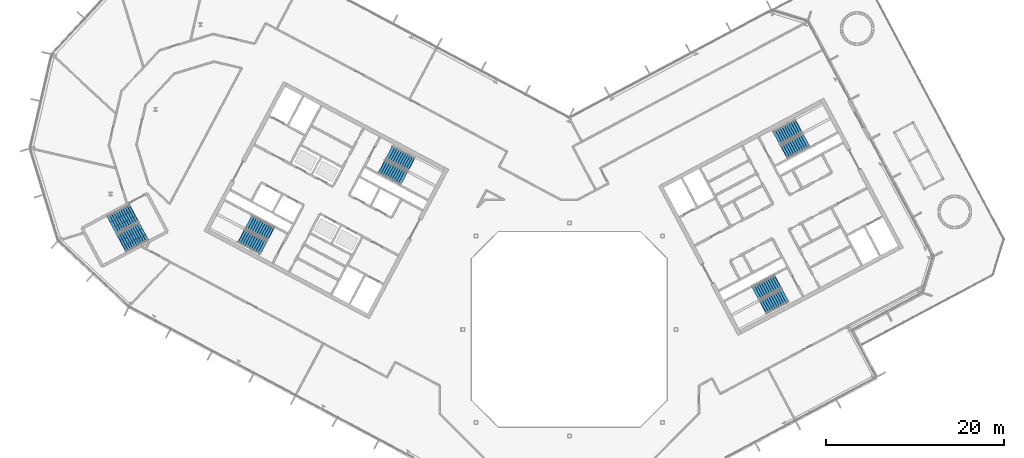
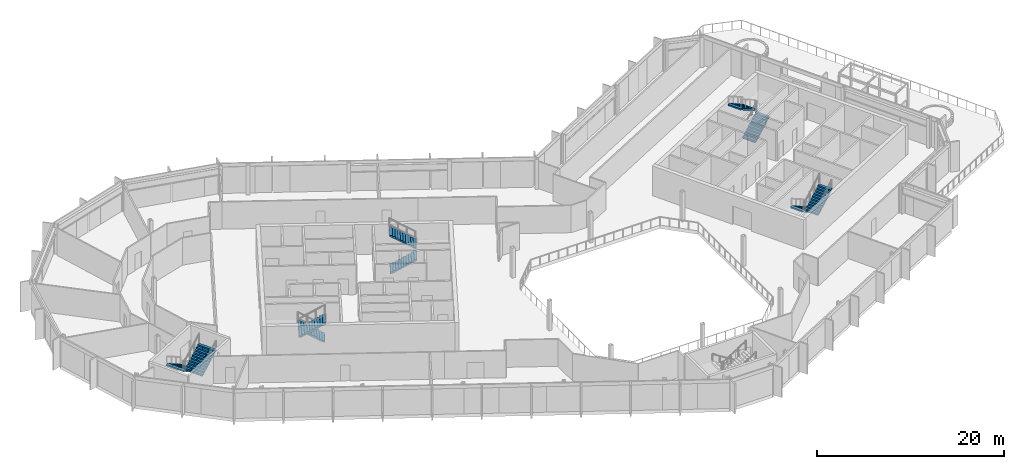
# One storey, part 20 of 30: 10 stair flights, 5 elements without a shape of their own.
"""IFC4 building model written with IfcOpenShell, lengths in metres."""

from ifc_helpers import new_model, si_unit, direction, frame, origin, place, context, subcontext, project, spatial, polyline, outline, extrude, material, type_object, element, aggregate, save


model = new_model("IFC4")

# Units and contexts
model_context = context("Model", 3, precision=1e-05, world=origin(), true_north=direction((0.0, 1.0)))
body_context = subcontext(model_context, "Body", "Model", "MODEL_VIEW")
ifc_project = project(units=[si_unit("LENGTHUNIT", "METRE"), si_unit("AREAUNIT", "SQUARE_METRE"), si_unit("VOLUMEUNIT", "CUBIC_METRE"), si_unit("PLANEANGLEUNIT", "RADIAN"), si_unit("MASSUNIT", "GRAM", prefix="KILO")], contexts=[model_context])

# Site, building, storey
site_placement = place(None, origin())
site = spatial("IfcSite", under=ifc_project, at=site_placement, CompositionType="ELEMENT")
building_placement = place(site_placement, origin())
building = spatial("IfcBuilding", under=site, at=building_placement, Name="Cormorant Relay Tower", CompositionType="ELEMENT")
storey_placement = place(building_placement, frame((0.0, 0.0, 258.0)))
storey = spatial("IfcBuildingStorey", under=building, at=storey_placement, Name="L57", CompositionType="ELEMENT", Elevation=258.0)

# Stair, stair flights
ifc_material_1 = material(Name="Concrete 40 MPa", Category="concrete")
stair_type_1 = type_object("IfcStairType", Name="Exit stair 1500", PredefinedType="HALF_TURN_STAIR", material=ifc_material_1)
stair_1_placement = place(storey_placement, origin())
stair_1 = element("IfcStair", 1, at=stair_1_placement, inside=storey, type_object=stair_type_1, Name="L57 Stair", PredefinedType="HALF_TURN_STAIR")
ifc_material_2 = material(Name="Concrete 40 MPa", Category="concrete")
stair_flight_type_1 = type_object("IfcStairFlightType", Name="Exit stair flight 1650", PredefinedType="STRAIGHT", material=ifc_material_2)
stair_flight_1_placement = place(storey_placement, frame((-21.114501953125, 18.33349609375, 0.0), z_axis=(0.0, 0.0, 1.0), x_axis=(0.882947592859, -0.469471562786, 0.0)))
stair_flight_1 = element("IfcStairFlight", 2, at=stair_flight_1_placement, type_object=stair_flight_type_1, Name="A1 flight 1", NumberOfRisers=11, NumberOfTreads=10, PredefinedType="STRAIGHT", RiserHeight=0.177272727, TreadLength=0.28, context=body_context, shape_type="SweptSolid", body=[
    extrude(outline(polyline([(-0.050048828125, -0.080078125), (-0.050048828125, 0.0), (0.0, 0.0), (0.0, 0.17724609375), (0.280029296875, 0.17724609375), (0.280029296875, 0.3544921875), (0.56005859375, 0.3544921875), (0.56005859375, 0.53173828125), (0.840087890625, 0.53173828125), (0.840087890625, 0.708984375), (1.1201171875, 0.708984375), (1.1201171875, 0.886474609375), (1.39990234375, 0.886474609375), (1.39990234375, 1.063720703125), (1.679931640625, 1.063720703125), (1.679931640625, 1.240966796875), (1.9599609375, 1.240966796875), (1.9599609375, 1.418212890625), (2.239990234375, 1.418212890625), (2.239990234375, 1.595458984375), (2.52001953125, 1.595458984375), (2.52001953125, 1.772705078125), (2.800048828125, 1.772705078125), (2.85009765625, 1.772705078125), (2.85009765625, 1.59521484375), (2.800048828125, 1.59521484375), (0.2802734375, 0.0), (-0.050048828125, -0.080078125)])), frame((0.0, 0.824951171875, 0.0), z_axis=(0.0, -1.0, 0.0), x_axis=(1.0, 0.0, 0.0)), (0.0, 0.0, 1.0), 1.64990234375),
])
stair_flight_2_placement = place(storey_placement, frame((-17.797119140625, 18.6083984375, 1.949951171875), z_axis=(0.0, 0.0, 1.0), x_axis=(-0.882947592859, 0.469471562786, 0.0)))
stair_flight_2 = element("IfcStairFlight", 3, at=stair_flight_2_placement, type_object=stair_flight_type_1, Name="A1 flight 2", NumberOfRisers=11, NumberOfTreads=10, PredefinedType="STRAIGHT", RiserHeight=0.177272727, TreadLength=0.28, context=body_context, shape_type="SweptSolid", body=[
    extrude(outline(polyline([(-0.050048828125, -0.080078125), (-0.050048828125, 0.0), (0.0, 0.0), (0.0, 0.17724609375), (0.280029296875, 0.17724609375), (0.280029296875, 0.3544921875), (0.56005859375, 0.3544921875), (0.56005859375, 0.53173828125), (0.840087890625, 0.53173828125), (0.840087890625, 0.708984375), (1.1201171875, 0.708984375), (1.1201171875, 0.886474609375), (1.39990234375, 0.886474609375), (1.39990234375, 1.063720703125), (1.679931640625, 1.063720703125), (1.679931640625, 1.240966796875), (1.9599609375, 1.240966796875), (1.9599609375, 1.418212890625), (2.239990234375, 1.418212890625), (2.239990234375, 1.595458984375), (2.52001953125, 1.595458984375), (2.52001953125, 1.772705078125), (2.800048828125, 1.772705078125), (2.85009765625, 1.772705078125), (2.85009765625, 1.59521484375), (2.800048828125, 1.59521484375), (0.2802734375, 0.0), (-0.050048828125, -0.080078125)])), frame((0.0, 0.824951171875, 0.0), z_axis=(0.0, -1.0, 0.0), x_axis=(1.0, 0.0, 0.0)), (0.0, 0.0, 1.0), 1.64990234375),
])
aggregate(stair_1, [stair_flight_1, stair_flight_2])

stair_2_placement = place(storey_placement, origin())
stair_2 = element("IfcStair", 4, at=stair_2_placement, inside=storey, type_object=stair_type_1, Name="L57 Stair", PredefinedType="HALF_TURN_STAIR")
stair_flight_3_placement = place(storey_placement, frame((-33.62841796875, 10.773681640625, 0.0), z_axis=(0.0, 0.0, 1.0), x_axis=(-0.882947592859, 0.469471562786, 0.0)))
stair_flight_3 = element("IfcStairFlight", 5, at=stair_flight_3_placement, type_object=stair_flight_type_1, Name="A2 flight 1", NumberOfRisers=11, NumberOfTreads=10, PredefinedType="STRAIGHT", RiserHeight=0.177272727, TreadLength=0.28, context=body_context, shape_type="SweptSolid", body=[
    extrude(outline(polyline([(-0.050048828125, -0.080078125), (-0.050048828125, 0.0), (0.0, 0.0), (0.0, 0.17724609375), (0.280029296875, 0.17724609375), (0.280029296875, 0.3544921875), (0.56005859375, 0.3544921875), (0.56005859375, 0.53173828125), (0.840087890625, 0.53173828125), (0.840087890625, 0.708984375), (1.1201171875, 0.708984375), (1.1201171875, 0.886474609375), (1.39990234375, 0.886474609375), (1.39990234375, 1.063720703125), (1.679931640625, 1.063720703125), (1.679931640625, 1.240966796875), (1.9599609375, 1.240966796875), (1.9599609375, 1.418212890625), (2.239990234375, 1.418212890625), (2.239990234375, 1.595458984375), (2.52001953125, 1.595458984375), (2.52001953125, 1.772705078125), (2.800048828125, 1.772705078125), (2.85009765625, 1.772705078125), (2.85009765625, 1.59521484375), (2.800048828125, 1.59521484375), (0.2802734375, 0.0), (-0.050048828125, -0.080078125)])), frame((0.0, 0.824951171875, 0.0), z_axis=(0.0, -1.0, 0.0), x_axis=(1.0, 0.0, 0.0)), (0.0, 0.0, 1.0), 1.64990234375),
])
stair_flight_4_placement = place(storey_placement, frame((-36.945556640625, 10.498779296875, 1.949951171875), z_axis=(0.0, 0.0, 1.0), x_axis=(0.882947592859, -0.469471562786, 0.0)))
stair_flight_4 = element("IfcStairFlight", 6, at=stair_flight_4_placement, type_object=stair_flight_type_1, Name="A2 flight 2", NumberOfRisers=11, NumberOfTreads=10, PredefinedType="STRAIGHT", RiserHeight=0.177272727, TreadLength=0.28, context=body_context, shape_type="SweptSolid", body=[
    extrude(outline(polyline([(-0.050048828125, -0.080078125), (-0.050048828125, 0.0), (0.0, 0.0), (0.0, 0.17724609375), (0.280029296875, 0.17724609375), (0.280029296875, 0.3544921875), (0.56005859375, 0.3544921875), (0.56005859375, 0.53173828125), (0.840087890625, 0.53173828125), (0.840087890625, 0.708984375), (1.1201171875, 0.708984375), (1.1201171875, 0.886474609375), (1.39990234375, 0.886474609375), (1.39990234375, 1.063720703125), (1.679931640625, 1.063720703125), (1.679931640625, 1.240966796875), (1.9599609375, 1.240966796875), (1.9599609375, 1.418212890625), (2.239990234375, 1.418212890625), (2.239990234375, 1.595458984375), (2.52001953125, 1.595458984375), (2.52001953125, 1.772705078125), (2.800048828125, 1.772705078125), (2.85009765625, 1.772705078125), (2.85009765625, 1.59521484375), (2.800048828125, 1.59521484375), (0.2802734375, 0.0), (-0.050048828125, -0.080078125)])), frame((0.0, 0.824951171875, 0.0), z_axis=(0.0, -1.0, 0.0), x_axis=(1.0, 0.0, 0.0)), (0.0, 0.0, 1.0), 1.64990234375),
])
aggregate(stair_2, [stair_flight_3, stair_flight_4])

stair_3_placement = place(storey_placement, origin())
stair_3 = element("IfcStair", 7, at=stair_3_placement, inside=storey, type_object=stair_type_1, Name="L57 Stair", PredefinedType="HALF_TURN_STAIR")
stair_flight_5_placement = place(storey_placement, frame((23.474365234375, 5.374755859375, 0.0), z_axis=(0.0, 0.0, 1.0), x_axis=(-0.882947592859, -0.469471562786, 0.0)))
stair_flight_5 = element("IfcStairFlight", 8, at=stair_flight_5_placement, type_object=stair_flight_type_1, Name="B1 flight 1", NumberOfRisers=11, NumberOfTreads=10, PredefinedType="STRAIGHT", RiserHeight=0.177272727, TreadLength=0.28, context=body_context, shape_type="SweptSolid", body=[
    extrude(outline(polyline([(-0.050048828125, -0.080078125), (-0.050048828125, 0.0), (0.0, 0.0), (0.0, 0.17724609375), (0.280029296875, 0.17724609375), (0.280029296875, 0.3544921875), (0.56005859375, 0.3544921875), (0.56005859375, 0.53173828125), (0.840087890625, 0.53173828125), (0.840087890625, 0.708984375), (1.1201171875, 0.708984375), (1.1201171875, 0.886474609375), (1.39990234375, 0.886474609375), (1.39990234375, 1.063720703125), (1.679931640625, 1.063720703125), (1.679931640625, 1.240966796875), (1.9599609375, 1.240966796875), (1.9599609375, 1.418212890625), (2.239990234375, 1.418212890625), (2.239990234375, 1.595458984375), (2.52001953125, 1.595458984375), (2.52001953125, 1.772705078125), (2.800048828125, 1.772705078125), (2.85009765625, 1.772705078125), (2.85009765625, 1.59521484375), (2.800048828125, 1.59521484375), (0.2802734375, 0.0), (-0.050048828125, -0.080078125)])), frame((0.0, 0.824951171875, 0.0), z_axis=(0.0, -1.0, 0.0), x_axis=(1.0, 0.0, 0.0)), (0.0, 0.0, 1.0), 1.64990234375),
])
stair_flight_6_placement = place(storey_placement, frame((21.84716796875, 2.470947265625, 1.949951171875), z_axis=(0.0, 0.0, 1.0), x_axis=(0.882947592859, 0.469471562786, 0.0)))
stair_flight_6 = element("IfcStairFlight", 9, at=stair_flight_6_placement, type_object=stair_flight_type_1, Name="B1 flight 2", NumberOfRisers=11, NumberOfTreads=10, PredefinedType="STRAIGHT", RiserHeight=0.177272727, TreadLength=0.28, context=body_context, shape_type="SweptSolid", body=[
    extrude(outline(polyline([(-0.050048828125, -0.080078125), (-0.050048828125, 0.0), (0.0, 0.0), (0.0, 0.17724609375), (0.280029296875, 0.17724609375), (0.280029296875, 0.3544921875), (0.56005859375, 0.3544921875), (0.56005859375, 0.53173828125), (0.840087890625, 0.53173828125), (0.840087890625, 0.708984375), (1.1201171875, 0.708984375), (1.1201171875, 0.886474609375), (1.39990234375, 0.886474609375), (1.39990234375, 1.063720703125), (1.679931640625, 1.063720703125), (1.679931640625, 1.240966796875), (1.9599609375, 1.240966796875), (1.9599609375, 1.418212890625), (2.239990234375, 1.418212890625), (2.239990234375, 1.595458984375), (2.52001953125, 1.595458984375), (2.52001953125, 1.772705078125), (2.800048828125, 1.772705078125), (2.85009765625, 1.772705078125), (2.85009765625, 1.59521484375), (2.800048828125, 1.59521484375), (0.2802734375, 0.0), (-0.050048828125, -0.080078125)])), frame((0.0, 0.824951171875, 0.0), z_axis=(0.0, -1.0, 0.0), x_axis=(1.0, 0.0, 0.0)), (0.0, 0.0, 1.0), 1.64990234375),
])
aggregate(stair_3, [stair_flight_5, stair_flight_6])

stair_4_placement = place(storey_placement, origin())
stair_4 = element("IfcStair", 10, at=stair_4_placement, inside=storey, type_object=stair_type_1, Name="L57 Stair", PredefinedType="HALF_TURN_STAIR")
stair_flight_7_placement = place(storey_placement, frame((24.20458984375, 19.976806640625, 0.0), z_axis=(0.0, 0.0, 1.0), x_axis=(0.882947592859, 0.469471562786, 0.0)))
stair_flight_7 = element("IfcStairFlight", 11, at=stair_flight_7_placement, type_object=stair_flight_type_1, Name="B2 flight 1", NumberOfRisers=11, NumberOfTreads=10, PredefinedType="STRAIGHT", RiserHeight=0.177272727, TreadLength=0.28, context=body_context, shape_type="SweptSolid", body=[
    extrude(outline(polyline([(-0.050048828125, -0.080078125), (-0.050048828125, 0.0), (0.0, 0.0), (0.0, 0.17724609375), (0.280029296875, 0.17724609375), (0.280029296875, 0.3544921875), (0.56005859375, 0.3544921875), (0.56005859375, 0.53173828125), (0.840087890625, 0.53173828125), (0.840087890625, 0.708984375), (1.1201171875, 0.708984375), (1.1201171875, 0.886474609375), (1.39990234375, 0.886474609375), (1.39990234375, 1.063720703125), (1.679931640625, 1.063720703125), (1.679931640625, 1.240966796875), (1.9599609375, 1.240966796875), (1.9599609375, 1.418212890625), (2.239990234375, 1.418212890625), (2.239990234375, 1.595458984375), (2.52001953125, 1.595458984375), (2.52001953125, 1.772705078125), (2.800048828125, 1.772705078125), (2.85009765625, 1.772705078125), (2.85009765625, 1.59521484375), (2.800048828125, 1.59521484375), (0.2802734375, 0.0), (-0.050048828125, -0.080078125)])), frame((0.0, 0.824951171875, 0.0), z_axis=(0.0, -1.0, 0.0), x_axis=(1.0, 0.0, 0.0)), (0.0, 0.0, 1.0), 1.64990234375),
])
stair_flight_8_placement = place(storey_placement, frame((25.831787109375, 22.880615234375, 1.949951171875), z_axis=(0.0, 0.0, 1.0), x_axis=(-0.882947592859, -0.469471562786, 0.0)))
stair_flight_8 = element("IfcStairFlight", 12, at=stair_flight_8_placement, type_object=stair_flight_type_1, Name="B2 flight 2", NumberOfRisers=11, NumberOfTreads=10, PredefinedType="STRAIGHT", RiserHeight=0.177272727, TreadLength=0.28, context=body_context, shape_type="SweptSolid", body=[
    extrude(outline(polyline([(-0.050048828125, -0.080078125), (-0.050048828125, 0.0), (0.0, 0.0), (0.0, 0.17724609375), (0.280029296875, 0.17724609375), (0.280029296875, 0.3544921875), (0.56005859375, 0.3544921875), (0.56005859375, 0.53173828125), (0.840087890625, 0.53173828125), (0.840087890625, 0.708984375), (1.1201171875, 0.708984375), (1.1201171875, 0.886474609375), (1.39990234375, 0.886474609375), (1.39990234375, 1.063720703125), (1.679931640625, 1.063720703125), (1.679931640625, 1.240966796875), (1.9599609375, 1.240966796875), (1.9599609375, 1.418212890625), (2.239990234375, 1.418212890625), (2.239990234375, 1.595458984375), (2.52001953125, 1.595458984375), (2.52001953125, 1.772705078125), (2.800048828125, 1.772705078125), (2.85009765625, 1.772705078125), (2.85009765625, 1.59521484375), (2.800048828125, 1.59521484375), (0.2802734375, 0.0), (-0.050048828125, -0.080078125)])), frame((0.0, 0.824951171875, 0.0), z_axis=(0.0, -1.0, 0.0), x_axis=(1.0, 0.0, 0.0)), (0.0, 0.0, 1.0), 1.64990234375),
])
aggregate(stair_4, [stair_flight_7, stair_flight_8])

ifc_material_3 = material(Name="Concrete 40 MPa", Category="concrete")
stair_type_2 = type_object("IfcStairType", Name="Remote exit stair 2200", PredefinedType="HALF_TURN_STAIR", material=ifc_material_3)
stair_5_placement = place(storey_placement, origin())
stair_5 = element("IfcStair", 13, at=stair_5_placement, inside=storey, type_object=stair_type_2, Name="L57 Stair", PredefinedType="HALF_TURN_STAIR")
ifc_material_4 = material(Name="Concrete 40 MPa", Category="concrete")
stair_flight_type_2 = type_object("IfcStairFlightType", Name="Remote exit stair flight 2200", PredefinedType="STRAIGHT", material=ifc_material_4)
stair_flight_9_placement = place(storey_placement, frame((-49.062255859375, 13.08251953125, 0.0), z_axis=(0.0, 0.0, 1.0), x_axis=(-0.882947502727, -0.4694717323, 0.0)))
stair_flight_9 = element("IfcStairFlight", 14, at=stair_flight_9_placement, type_object=stair_flight_type_2, Name="RP1 flight 1", NumberOfRisers=11, NumberOfTreads=10, PredefinedType="STRAIGHT", RiserHeight=0.177272727, TreadLength=0.28, context=body_context, shape_type="SweptSolid", body=[
    extrude(outline(polyline([(-0.050048828125, -0.080078125), (-0.050048828125, 0.0), (0.0, 0.0), (0.0, 0.17724609375), (0.280029296875, 0.17724609375), (0.280029296875, 0.3544921875), (0.56005859375, 0.3544921875), (0.56005859375, 0.53173828125), (0.840087890625, 0.53173828125), (0.840087890625, 0.708984375), (1.1201171875, 0.708984375), (1.1201171875, 0.886474609375), (1.39990234375, 0.886474609375), (1.39990234375, 1.063720703125), (1.679931640625, 1.063720703125), (1.679931640625, 1.240966796875), (1.9599609375, 1.240966796875), (1.9599609375, 1.418212890625), (2.239990234375, 1.418212890625), (2.239990234375, 1.595458984375), (2.52001953125, 1.595458984375), (2.52001953125, 1.772705078125), (2.800048828125, 1.772705078125), (2.85009765625, 1.772705078125), (2.85009765625, 1.59521484375), (2.800048828125, 1.59521484375), (0.2802734375, 0.0), (-0.050048828125, -0.080078125)])), frame((0.0, 1.10009765625, 0.0), z_axis=(0.0, -1.0, 0.0), x_axis=(1.0, 0.0, 0.0)), (0.0, 0.0, 1.0), 0.719970703125),
    extrude(outline(polyline([(-0.050048828125, -0.080078125), (-0.050048828125, 0.0), (0.0, 0.0), (0.0, 0.17724609375), (0.280029296875, 0.17724609375), (0.280029296875, 0.3544921875), (0.56005859375, 0.3544921875), (0.56005859375, 0.53173828125), (0.840087890625, 0.53173828125), (0.840087890625, 0.708984375), (1.1201171875, 0.708984375), (1.1201171875, 0.886474609375), (1.39990234375, 0.886474609375), (1.39990234375, 1.063720703125), (1.679931640625, 1.063720703125), (1.679931640625, 1.240966796875), (1.9599609375, 1.240966796875), (1.9599609375, 1.418212890625), (2.239990234375, 1.418212890625), (2.239990234375, 1.595458984375), (2.52001953125, 1.595458984375), (2.52001953125, 1.772705078125), (2.800048828125, 1.772705078125), (2.85009765625, 1.772705078125), (2.85009765625, 1.59521484375), (2.800048828125, 1.59521484375), (0.2802734375, 0.0), (-0.050048828125, -0.080078125)])), frame((0.0, 0.360107421875, 0.0), z_axis=(0.0, -1.0, 0.0), x_axis=(1.0, 0.0, 0.0)), (0.0, 0.0, 1.0), 0.719970703125),
    extrude(outline(polyline([(-0.050048828125, -0.080078125), (-0.050048828125, 0.0), (0.0, 0.0), (0.0, 0.17724609375), (0.280029296875, 0.17724609375), (0.280029296875, 0.3544921875), (0.56005859375, 0.3544921875), (0.56005859375, 0.53173828125), (0.840087890625, 0.53173828125), (0.840087890625, 0.708984375), (1.1201171875, 0.708984375), (1.1201171875, 0.886474609375), (1.39990234375, 0.886474609375), (1.39990234375, 1.063720703125), (1.679931640625, 1.063720703125), (1.679931640625, 1.240966796875), (1.9599609375, 1.240966796875), (1.9599609375, 1.418212890625), (2.239990234375, 1.418212890625), (2.239990234375, 1.595458984375), (2.52001953125, 1.595458984375), (2.52001953125, 1.772705078125), (2.800048828125, 1.772705078125), (2.85009765625, 1.772705078125), (2.85009765625, 1.59521484375), (2.800048828125, 1.59521484375), (0.2802734375, 0.0), (-0.050048828125, -0.080078125)])), frame((0.0, -0.3798828125, 0.0), z_axis=(0.0, -1.0, 0.0), x_axis=(1.0, 0.0, 0.0)), (0.0, 0.0, 1.0), 0.719970703125),
])
stair_flight_10_placement = place(storey_placement, frame((-50.431396484375, 9.693115234375, 1.949951171875), z_axis=(0.0, 0.0, 1.0), x_axis=(0.882947502727, 0.4694717323, 0.0)))
stair_flight_10 = element("IfcStairFlight", 15, at=stair_flight_10_placement, type_object=stair_flight_type_2, Name="RP1 flight 2", NumberOfRisers=11, NumberOfTreads=10, PredefinedType="STRAIGHT", RiserHeight=0.177272727, TreadLength=0.28, context=body_context, shape_type="SweptSolid", body=[
    extrude(outline(polyline([(-0.050048828125, -0.080078125), (-0.050048828125, 0.0), (0.0, 0.0), (0.0, 0.17724609375), (0.280029296875, 0.17724609375), (0.280029296875, 0.3544921875), (0.56005859375, 0.3544921875), (0.56005859375, 0.53173828125), (0.840087890625, 0.53173828125), (0.840087890625, 0.708984375), (1.1201171875, 0.708984375), (1.1201171875, 0.886474609375), (1.39990234375, 0.886474609375), (1.39990234375, 1.063720703125), (1.679931640625, 1.063720703125), (1.679931640625, 1.240966796875), (1.9599609375, 1.240966796875), (1.9599609375, 1.418212890625), (2.239990234375, 1.418212890625), (2.239990234375, 1.595458984375), (2.52001953125, 1.595458984375), (2.52001953125, 1.772705078125), (2.800048828125, 1.772705078125), (2.85009765625, 1.772705078125), (2.85009765625, 1.59521484375), (2.800048828125, 1.59521484375), (0.2802734375, 0.0), (-0.050048828125, -0.080078125)])), frame((0.0, 1.10009765625, 0.0), z_axis=(0.0, -1.0, 0.0), x_axis=(1.0, 0.0, 0.0)), (0.0, 0.0, 1.0), 0.719970703125),
    extrude(outline(polyline([(-0.050048828125, -0.080078125), (-0.050048828125, 0.0), (0.0, 0.0), (0.0, 0.17724609375), (0.280029296875, 0.17724609375), (0.280029296875, 0.3544921875), (0.56005859375, 0.3544921875), (0.56005859375, 0.53173828125), (0.840087890625, 0.53173828125), (0.840087890625, 0.708984375), (1.1201171875, 0.708984375), (1.1201171875, 0.886474609375), (1.39990234375, 0.886474609375), (1.39990234375, 1.063720703125), (1.679931640625, 1.063720703125), (1.679931640625, 1.240966796875), (1.9599609375, 1.240966796875), (1.9599609375, 1.418212890625), (2.239990234375, 1.418212890625), (2.239990234375, 1.595458984375), (2.52001953125, 1.595458984375), (2.52001953125, 1.772705078125), (2.800048828125, 1.772705078125), (2.85009765625, 1.772705078125), (2.85009765625, 1.59521484375), (2.800048828125, 1.59521484375), (0.2802734375, 0.0), (-0.050048828125, -0.080078125)])), frame((0.0, 0.360107421875, 0.0), z_axis=(0.0, -1.0, 0.0), x_axis=(1.0, 0.0, 0.0)), (0.0, 0.0, 1.0), 0.719970703125),
    extrude(outline(polyline([(-0.050048828125, -0.080078125), (-0.050048828125, 0.0), (0.0, 0.0), (0.0, 0.17724609375), (0.280029296875, 0.17724609375), (0.280029296875, 0.3544921875), (0.56005859375, 0.3544921875), (0.56005859375, 0.53173828125), (0.840087890625, 0.53173828125), (0.840087890625, 0.708984375), (1.1201171875, 0.708984375), (1.1201171875, 0.886474609375), (1.39990234375, 0.886474609375), (1.39990234375, 1.063720703125), (1.679931640625, 1.063720703125), (1.679931640625, 1.240966796875), (1.9599609375, 1.240966796875), (1.9599609375, 1.418212890625), (2.239990234375, 1.418212890625), (2.239990234375, 1.595458984375), (2.52001953125, 1.595458984375), (2.52001953125, 1.772705078125), (2.800048828125, 1.772705078125), (2.85009765625, 1.772705078125), (2.85009765625, 1.59521484375), (2.800048828125, 1.59521484375), (0.2802734375, 0.0), (-0.050048828125, -0.080078125)])), frame((0.0, -0.3798828125, 0.0), z_axis=(0.0, -1.0, 0.0), x_axis=(1.0, 0.0, 0.0)), (0.0, 0.0, 1.0), 0.719970703125),
])
aggregate(stair_5, [stair_flight_9, stair_flight_10])

save(model, "model.ifc")
